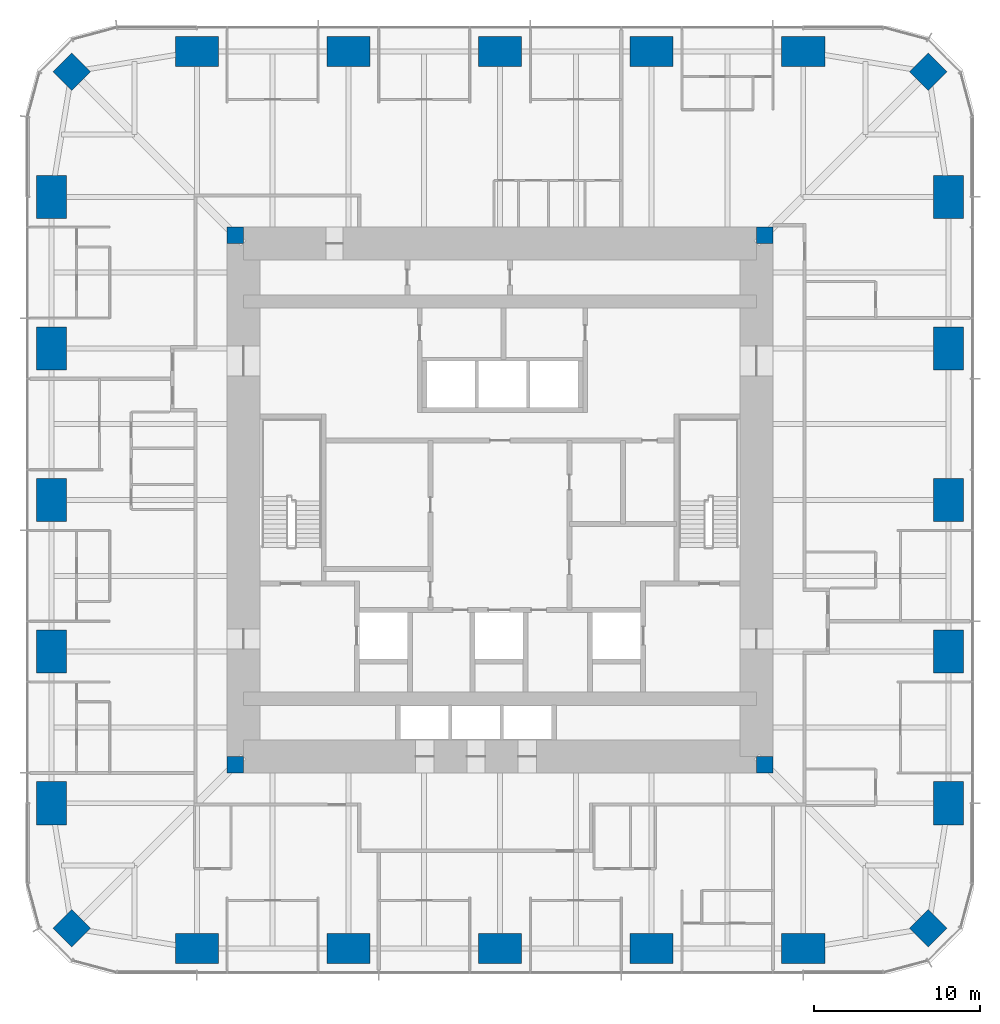
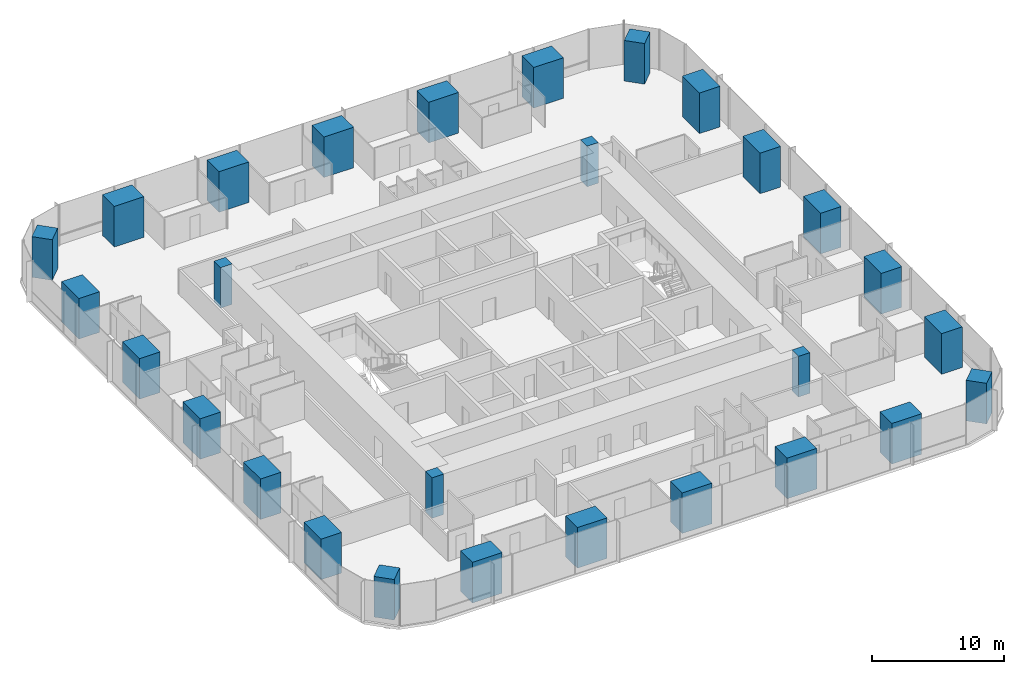
# One storey, part 1 of 13: 28 columns.
"""IFC4 building model written with IfcOpenShell, lengths in metres."""

from ifc_helpers import new_model, si_unit, direction, frame, origin, origin_2d, place, context, subcontext, project, spatial, rectangle, extrude, material, material_profile, profile_set, type_object, element, save


model = new_model("IFC4")

# Units and contexts
model_context = context("Model", 3, precision=1e-05, world=origin(), true_north=direction((0.0, 1.0)))
body_context = subcontext(model_context, "Body", "Model", "MODEL_VIEW")
ifc_project = project(units=[si_unit("LENGTHUNIT", "METRE"), si_unit("AREAUNIT", "SQUARE_METRE"), si_unit("VOLUMEUNIT", "CUBIC_METRE"), si_unit("PLANEANGLEUNIT", "RADIAN"), si_unit("MASSUNIT", "GRAM", prefix="KILO")], contexts=[model_context])

# Site, building, storey
site_placement = place(None, origin())
site = spatial("IfcSite", under=ifc_project, at=site_placement, CompositionType="ELEMENT")
building_placement = place(site_placement, origin())
building = spatial("IfcBuilding", under=site, at=building_placement, Name="Khuree Lantern Residences", CompositionType="ELEMENT")
storey_placement = place(building_placement, frame((0.0, 0.0, 152.25)))
storey = spatial("IfcBuildingStorey", under=building, at=storey_placement, Name="L38", CompositionType="ELEMENT", Elevation=152.25)

# Columns
ifc_material = material(Name="Concrete C70/85", Category="concrete")
ifc_material_profile_1 = material_profile(ifc_material, rectangle(XDim=1.60009765625, YDim=1.60009765625, at=origin_2d()), Name="RC 1600X1600")
ifc_profile_set_1 = profile_set([ifc_material_profile_1], Name="Concrete C70/85")
column_type_1 = type_object("IfcColumnType", Name="CC1600A PERIMETER CORNER COLUMN RC 1600X1600", PredefinedType="COLUMN", material=ifc_profile_set_1)
for number, where, z_axis, x_axis, name in (
    (1, (25.869873046875, 25.869873046875, 0.0), (0.0, 0.0, 1.0), (0.707106781187, -0.707106781187, 0.0), "Perimeter column NE"),
    (2, (25.869873046875, -25.869873046875, 0.0), (0.0, 0.0, 1.0), (0.707106781187, 0.707106781187, 0.0), "Perimeter column SE"),
    (3, (-25.869873046875, -25.869873046875, 0.0), (0.0, 0.0, 1.0), (0.707106781187, -0.707106781187, 0.0), "Perimeter column SW"),
    (4, (-25.869873046875, 25.869873046875, 0.0), (0.0, 0.0, 1.0), (0.707106781187, 0.707106781187, 0.0), "Perimeter column NW"),
):
    element("IfcColumn", number, at=place(storey_placement, frame(where, z_axis=z_axis, x_axis=x_axis)), inside=storey, type_object=column_type_1, Name=name, PredefinedType="COLUMN", context=body_context, shape_type="SweptSolid", body=[
        extrude(rectangle(XDim=1.60009765625, YDim=1.60009765625, at=origin_2d()), origin(), (0.0, 0.0, 1.0), 3.75),
    ])
ifc_material_profile_2 = material_profile(ifc_material, rectangle(XDim=1.0, YDim=1.0, at=origin_2d()), Name="RC 1000X1000")
ifc_profile_set_2 = profile_set([ifc_material_profile_2], Name="Concrete C70/85")
column_type_2 = type_object("IfcColumnType", Name="CP1000-C70 CORE CORNER PIER C70 RC 1000X1000", PredefinedType="COLUMN", material=ifc_profile_set_2)
for number, where, z_axis, x_axis, name in (
    (5, (16.0, 16.0, -0.25), (0.0, 0.0, 1.0), (1.0, 0.0, 0.0), "Core corner pier NE"),
    (6, (-16.0, 16.0, -0.25), (0.0, 0.0, 1.0), (1.0, 0.0, 0.0), "Core corner pier NW"),
    (7, (-16.0, -16.0, -0.25), (0.0, 0.0, 1.0), (1.0, 0.0, 0.0), "Core corner pier SW"),
    (8, (16.0, -16.0, -0.25), (0.0, 0.0, 1.0), (1.0, 0.0, 0.0), "Core corner pier SE"),
):
    element("IfcColumn", number, at=place(storey_placement, frame(where, z_axis=z_axis, x_axis=x_axis)), inside=storey, type_object=column_type_2, Name=name, PredefinedType="COLUMN", context=body_context, shape_type="SweptSolid", body=[
        extrude(rectangle(XDim=1.0, YDim=1.0, at=origin_2d()), origin(), (0.0, 0.0, 1.0), 3.75),
    ])
ifc_material_profile_3 = material_profile(ifc_material, rectangle(XDim=2.60009765625, YDim=1.800048828125, at=origin_2d()), Name="RC 2600X1800")
ifc_profile_set_3 = profile_set([ifc_material_profile_3], Name="Concrete C70/85")
column_type_3 = type_object("IfcColumnType", Name="PC3 PERIMETER COLUMN RC 2600X1800", PredefinedType="COLUMN", material=ifc_profile_set_3)
for number, where, z_axis, x_axis, name in (
    (9, (-18.320068359375, 27.10009765625, 0.0), (0.0, 0.0, 1.0), (1.0, 0.0, 0.0), "Perimeter column N1"),
    (10, (-9.159912109375, 27.10009765625, 0.0), (0.0, 0.0, 1.0), (1.0, 0.0, 0.0), "Perimeter column N2"),
    (11, (0.0, 27.10009765625, 0.0), (0.0, 0.0, 1.0), (1.0, 0.0, 0.0), "Perimeter column N3"),
    (12, (9.159912109375, 27.10009765625, 0.0), (0.0, 0.0, 1.0), (1.0, 0.0, 0.0), "Perimeter column N4"),
    (13, (18.320068359375, 27.10009765625, 0.0), (0.0, 0.0, 1.0), (1.0, 0.0, 0.0), "Perimeter column N5"),
    (14, (27.10009765625, 18.320068359375, 0.0), (0.0, 0.0, 1.0), (0.0, 1.0, 0.0), "Perimeter column E1"),
    (15, (27.10009765625, 9.159912109375, 0.0), (0.0, 0.0, 1.0), (0.0, 1.0, 0.0), "Perimeter column E2"),
    (16, (27.10009765625, 0.0, 0.0), (0.0, 0.0, 1.0), (0.0, 1.0, 0.0), "Perimeter column E3"),
    (17, (27.10009765625, -9.159912109375, 0.0), (0.0, 0.0, 1.0), (0.0, 1.0, 0.0), "Perimeter column E4"),
    (18, (27.10009765625, -18.320068359375, 0.0), (0.0, 0.0, 1.0), (0.0, 1.0, 0.0), "Perimeter column E5"),
    (19, (18.320068359375, -27.10009765625, 0.0), (0.0, 0.0, 1.0), (1.0, 0.0, 0.0), "Perimeter column S1"),
    (20, (9.159912109375, -27.10009765625, 0.0), (0.0, 0.0, 1.0), (1.0, 0.0, 0.0), "Perimeter column S2"),
    (21, (0.0, -27.10009765625, 0.0), (0.0, 0.0, 1.0), (1.0, 0.0, 0.0), "Perimeter column S3"),
    (22, (-9.159912109375, -27.10009765625, 0.0), (0.0, 0.0, 1.0), (1.0, 0.0, 0.0), "Perimeter column S4"),
    (23, (-18.320068359375, -27.10009765625, 0.0), (0.0, 0.0, 1.0), (1.0, 0.0, 0.0), "Perimeter column S5"),
    (24, (-27.10009765625, -18.320068359375, 0.0), (0.0, 0.0, 1.0), (0.0, 1.0, 0.0), "Perimeter column W1"),
    (25, (-27.10009765625, -9.159912109375, 0.0), (0.0, 0.0, 1.0), (0.0, 1.0, 0.0), "Perimeter column W2"),
    (26, (-27.10009765625, 0.0, 0.0), (0.0, 0.0, 1.0), (0.0, 1.0, 0.0), "Perimeter column W3"),
    (27, (-27.10009765625, 9.159912109375, 0.0), (0.0, 0.0, 1.0), (0.0, 1.0, 0.0), "Perimeter column W4"),
    (28, (-27.10009765625, 18.320068359375, 0.0), (0.0, 0.0, 1.0), (0.0, 1.0, 0.0), "Perimeter column W5"),
):
    element("IfcColumn", number, at=place(storey_placement, frame(where, z_axis=z_axis, x_axis=x_axis)), inside=storey, type_object=column_type_3, Name=name, PredefinedType="COLUMN", context=body_context, shape_type="SweptSolid", body=[
        extrude(rectangle(XDim=2.60009765625, YDim=1.800048828125, at=origin_2d()), origin(), (0.0, 0.0, 1.0), 3.75),
    ])

save(model, "model.ifc")
